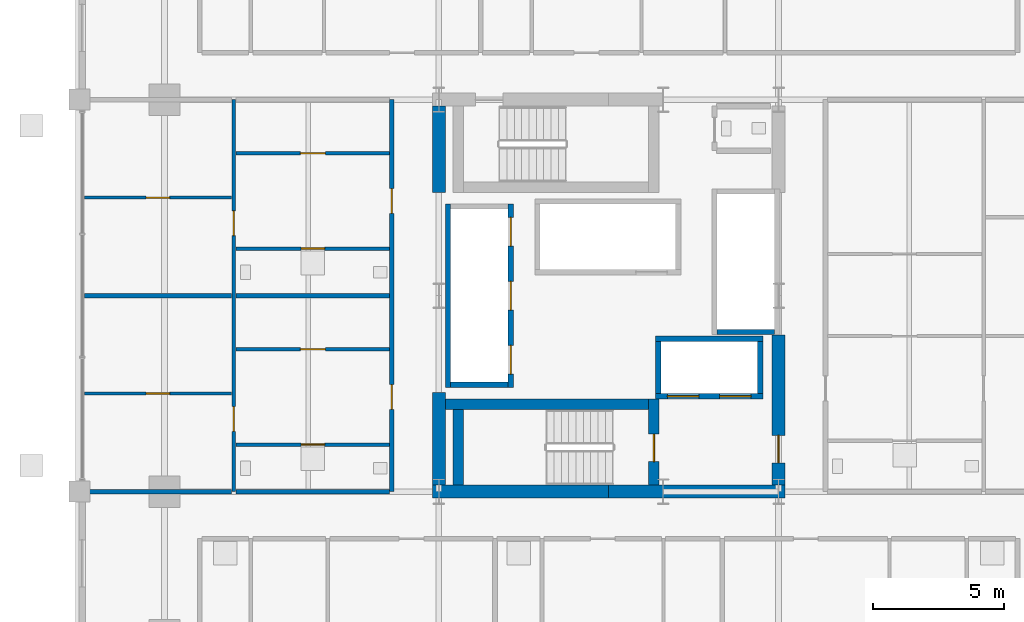
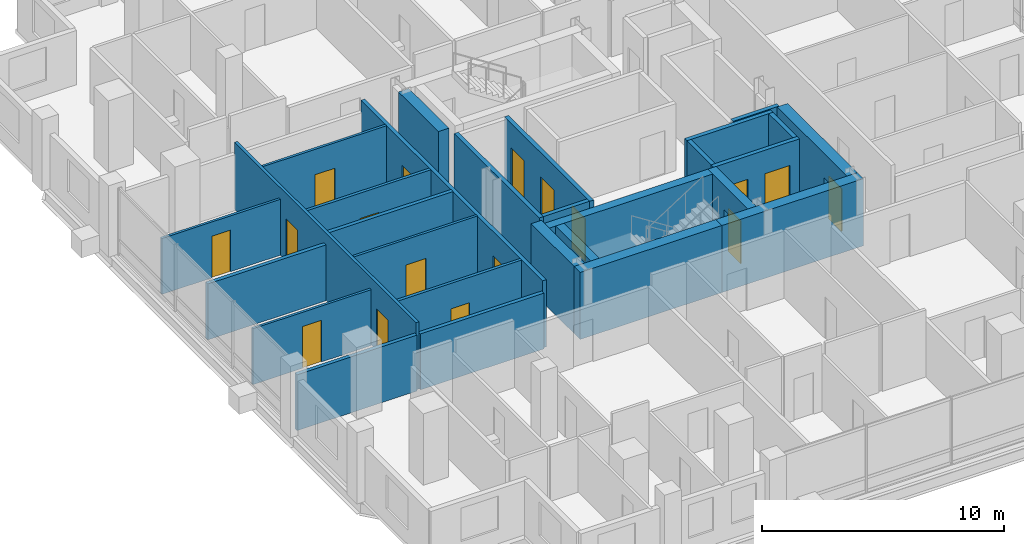
# One storey, part 15 of 20: 28 walls, 17 doors, 17 openings.
"""IFC4 building model written with IfcOpenShell, lengths in metres."""

import ifcopenshell
import ifcopenshell.guid

model = None  # the IFC model being written
_history = None  # IfcOwnerHistory: only IFC2X3 demands one
_inside = {}  # id of a spatial element -> (the spatial element, [elements in it])
_under = {}  # id of a project, library or spatial element -> (it, [spatial elements below it])
_declared = {}  # id of a project -> (the project, [libraries it declares])
_typed = {}  # id of a type object -> (the type object, [elements of that type])
_made_of = {}  # id of a material, layer set ... -> (it, [elements and type objects made of it])


def new_model(schema):
    """Start an empty IFC model of exactly this schema.

    Asked for "IFC4X3", IfcOpenShell would pick the latest addendum, in which some entities
    have other attributes; the version numbers below select the first issue.
    IFC2X3 requires an IfcOwnerHistory on every rooted entity: one is made here for all.
    """
    global model, _history
    if schema == "IFC4X3":
        model = ifcopenshell.file(schema_version=(4, 3, 0, 0))
    else:
        model = ifcopenshell.file(schema=schema)
    _inside.clear()
    _under.clear()
    _declared.clear()
    _typed.clear()
    _made_of.clear()
    _history = None
    if model.schema == "IFC2X3":
        org = make("IfcOrganization", Name="unknown")
        user = make(
            "IfcPersonAndOrganization",
            ThePerson=make("IfcPerson", FamilyName="unknown"),
            TheOrganization=org,
        )
        app = make(
            "IfcApplication",
            ApplicationDeveloper=org,
            Version="unknown",
            ApplicationFullName="unknown",
            ApplicationIdentifier="unknown",
        )
        _history = make(
            "IfcOwnerHistory",
            OwningUser=user,
            OwningApplication=app,
            ChangeAction="ADDED",
            CreationDate=0,
        )
    return model


def make(cls, **values):
    """One entity of the class cls with the attributes given. An attribute that is None is left unset."""
    return model.create_entity(
        cls, **{name: value for name, value in values.items() if value is not None}
    )


def rooted(cls, **values):
    """An entity with a GlobalId (a new one), such as an element, a storey or a relation."""
    return make(cls, GlobalId=ifcopenshell.guid.new(), OwnerHistory=_history, **values)


def si_unit(unit_type, name, prefix=None):
    """IfcSIUnit, for example si_unit("LENGTHUNIT", "METRE", prefix="MILLI")."""
    return make("IfcSIUnit", UnitType=unit_type, Prefix=prefix, Name=name)


def assignment(units):
    """IfcUnitAssignment: the units of a project."""
    return None if units is None else make("IfcUnitAssignment", Units=units)


def point(xyz):
    """IfcCartesianPoint."""
    return None if xyz is None else make("IfcCartesianPoint", Coordinates=xyz)


def direction(xyz):
    """IfcDirection."""
    return None if xyz is None else make("IfcDirection", DirectionRatios=xyz)


def frame(location, z_axis=None, x_axis=None):
    """IfcAxis2Placement3D, a coordinate frame: its origin and axes. An axis left out is left unset."""
    return make(
        "IfcAxis2Placement3D",
        Location=point(location),
        Axis=direction(z_axis),
        RefDirection=direction(x_axis),
    )


def frame_2d(location, x_axis=None):
    """IfcAxis2Placement2D, a coordinate frame in the plane: its origin and x axis."""
    return make(
        "IfcAxis2Placement2D", Location=point(location), RefDirection=direction(x_axis)
    )


def origin():
    """The frame at (0, 0, 0) with its axes left unset."""
    return frame((0.0, 0.0, 0.0))


def place(relative_to, where):
    """IfcLocalPlacement: puts the frame where relative to a parent placement (None: the world)."""
    return make(
        "IfcLocalPlacement", PlacementRelTo=relative_to, RelativePlacement=where
    )


def context(
    kind, dimensions, precision=None, world=None, true_north=None, identifier=None
):
    """IfcGeometricRepresentationContext, for example the 3D "Model" context."""
    return make(
        "IfcGeometricRepresentationContext",
        ContextIdentifier=identifier,
        ContextType=kind,
        CoordinateSpaceDimension=dimensions,
        Precision=precision,
        WorldCoordinateSystem=world,
        TrueNorth=true_north,
    )


def subcontext(parent, identifier, kind, view, scale=None):
    """IfcGeometricRepresentationSubContext, for example "Body" below "Model"."""
    return make(
        "IfcGeometricRepresentationSubContext",
        ContextIdentifier=identifier,
        ContextType=kind,
        ParentContext=parent,
        TargetScale=scale,
        TargetView=view,
    )


def project(units=None, contexts=None):
    """IfcProject with its units and contexts."""
    return rooted(
        "IfcProject",
        Name="project",
        RepresentationContexts=contexts,
        UnitsInContext=assignment(units),
    )


def spatial(cls, under=None, at=None, **own):
    """A site, building, storey or space (cls), placed at a placement, below another one or the project."""
    s = rooted(cls, ObjectPlacement=at, **own)
    if under is not None:
        _under.setdefault(under.id(), (under, []))[1].append(s)
    return s


def profile(cls, at=None, kind="AREA", **sizes):
    """A parametric profile (cls). Its sizes go by their IFC names, for example OverallWidth=200.0."""
    return make(cls, ProfileType=kind, Position=at, **sizes)


def rectangle(**sizes):
    """IfcRectangleProfileDef."""
    return profile("IfcRectangleProfileDef", **sizes)


def extrude(swept, where, along, depth):
    """IfcExtrudedAreaSolid: the profile swept, set in the frame where, extruded along a direction by depth."""
    return make(
        "IfcExtrudedAreaSolid",
        SweptArea=swept,
        Position=where,
        ExtrudedDirection=direction(along),
        Depth=depth,
    )


def shape(context_of_items, identifier, shape_type, items):
    """IfcShapeRepresentation: the items that make up one representation, for example the "Body"."""
    return make(
        "IfcShapeRepresentation",
        ContextOfItems=context_of_items,
        RepresentationIdentifier=identifier,
        RepresentationType=shape_type,
        Items=items,
    )


def material(Name=None, Category=None):
    """IfcMaterial."""
    return make("IfcMaterial", Name=Name, Category=Category)


def layer(
    of_material, thickness, ventilated=None, Name=None, Category=None, Priority=None
):
    """IfcMaterialLayer: one layer of a wall or slab, of a material (None: an air gap)."""
    return make(
        "IfcMaterialLayer",
        Material=of_material,
        LayerThickness=thickness,
        IsVentilated=ventilated,
        Name=Name,
        Category=Category,
        Priority=Priority,
    )


def layer_set(layers, Name=None):
    """IfcMaterialLayerSet."""
    return make("IfcMaterialLayerSet", MaterialLayers=layers, LayerSetName=Name)


def made_of(thing, what):
    """Note that an element or type object is made of a material, layer set ...; save() writes the relation."""
    if what is not None:
        _made_of.setdefault(what.id(), (what, []))[1].append(thing)
    return thing


def type_object(cls, material=None, **own):
    """A type object (cls), such as IfcWallType, which elements share."""
    return made_of(rooted(cls, **own), material)


def element(
    cls,
    number,
    at=None,
    inside=None,
    cuts=None,
    type_object=None,
    material=None,
    context=None,
    identifier="Body",
    shape_type=None,
    held_by="IfcProductDefinitionShape",
    body=None,
    shapes=None,
    **own,
):
    """One element of the class cls, such as IfcWall. Its Tag is "e" and its number.

    at: its placement. inside: the storey or other place that contains it. cuts: it is an
    opening in that element (IfcRelVoidsElement). A single representation is given by context,
    identifier, shape_type and body (its items); several are given by shapes. held_by: the class
    of the entity that holds the representations. save() writes the other relations.
    """
    e = rooted(cls, Tag="e%d" % number, ObjectPlacement=at, **own)
    if body is not None:
        shapes = [shape(context, identifier, shape_type, body)]
    if shapes is not None:
        e.Representation = make(held_by, Representations=shapes)
    if inside is not None:
        _inside.setdefault(inside.id(), (inside, []))[1].append(e)
    if cuts is not None:
        rooted(
            "IfcRelVoidsElement", RelatingBuildingElement=cuts, RelatedOpeningElement=e
        )
    if type_object is not None:
        _typed.setdefault(type_object.id(), (type_object, []))[1].append(e)
    return made_of(e, material)


def fill(opening, filler):
    """IfcRelFillsElement: the door or window that sits in an opening."""
    return rooted(
        "IfcRelFillsElement",
        RelatingOpeningElement=opening,
        RelatedBuildingElement=filler,
    )


def aggregate(whole, parts):
    """IfcRelAggregates: a whole, such as a stair, and the parts it consists of."""
    return rooted("IfcRelAggregates", RelatingObject=whole, RelatedObjects=parts)


def save(model, path):
    """Write the relations noted so far, then the file.

    IfcRelAggregates (storeys below a building ...), IfcRelContainedInSpatialStructure (elements
    in a storey), IfcRelDefinesByType, IfcRelAssociatesMaterial and IfcRelDeclares: one each for
    every whole, place, type object, material and project.
    """
    for whole, parts in _under.values():
        aggregate(whole, parts)
    for where, things in _inside.values():
        rooted(
            "IfcRelContainedInSpatialStructure",
            RelatedElements=things,
            RelatingStructure=where,
        )
    for kind, things in _typed.values():
        rooted("IfcRelDefinesByType", RelatedObjects=things, RelatingType=kind)
    for what, things in _made_of.values():
        rooted("IfcRelAssociatesMaterial", RelatedObjects=things, RelatingMaterial=what)
    for by, libraries in _declared.values():
        rooted("IfcRelDeclares", RelatingContext=by, RelatedDefinitions=libraries)
    model.write(path)


model = new_model("IFC4")

# Units and contexts
model_context = context("Model", 3, precision=1e-05, world=origin(), true_north=direction((0.0, 1.0)))
body_context = subcontext(model_context, "Body", "Model", "MODEL_VIEW")
ifc_project = project(units=[si_unit("LENGTHUNIT", "METRE"), si_unit("AREAUNIT", "SQUARE_METRE"), si_unit("VOLUMEUNIT", "CUBIC_METRE"), si_unit("PLANEANGLEUNIT", "RADIAN"), si_unit("MASSUNIT", "GRAM", prefix="KILO")], contexts=[model_context])

# Site, building, storey
site_placement = place(None, origin())
site = spatial("IfcSite", under=ifc_project, at=site_placement, CompositionType="ELEMENT")
building_placement = place(site_placement, origin())
building = spatial("IfcBuilding", under=site, at=building_placement, Name="Barlavira Tower and Art Museum", CompositionType="ELEMENT")
storey_placement = place(building_placement, frame((0.0, 0.0, 102.60009765625)))
storey = spatial("IfcBuildingStorey", under=building, at=storey_placement, Name="L25", CompositionType="ELEMENT", Elevation=102.60009765625)

# Wall, opening, door
ifc_material_1 = material(Name="Gypsum acoustic stud partition", Category="gypsum")
ifc_layer_1 = layer(ifc_material_1, 0.1201171875, Name="Gypsum acoustic stud partition")
ifc_layer_set_1 = layer_set([ifc_layer_1], Name="Gypsum acoustic stud partition")
wall_type_1 = type_object("IfcWallType", Name="Apartment Internal Acoustic Partition 120", PredefinedType="PARTITIONING", material=ifc_layer_set_1)
wall_1_placement = place(storey_placement, frame((-20.070068359375, -3.75, 0.0), z_axis=(0.0, 0.0, 1.0), x_axis=(1.0, 0.0, 0.0)))
wall_1 = element("IfcWall", 1, at=wall_1_placement, inside=storey, type_object=wall_type_1, Name="L25 Partition Wall 59", PredefinedType="PARTITIONING", context=body_context, shape_type="SweptSolid", body=[
    extrude(rectangle(XDim=5.64013671875, YDim=0.1201171875, at=frame_2d((2.820068359375, 0.0))), origin(), (0.0, 0.0, 1.0), 2.81591796875),
])
opening_1_placement = place(wall_1_placement, frame((2.3701171875, 0.0, 0.0)))
opening_1 = element("IfcOpeningElement", 2, at=opening_1_placement, cuts=wall_1, Name="Opening D-01", PredefinedType="OPENING", context=body_context, shape_type="SweptSolid", body=[
    extrude(rectangle(XDim=0.89990234375, YDim=2.10009765625, at=frame_2d((0.449951171875, 1.050048828125))), frame((0.0, 0.070068359375, 0.0), z_axis=(0.0, -1.0, 0.0), x_axis=(1.0, 0.0, 0.0)), (0.0, 0.0, 1.0), 0.14013671875),
])
ifc_material_2 = material(Name="Engineered coastal hardwood", Category="wood")
door_type_1 = type_object("IfcDoorType", Name="Internal Bedroom Timber Flush Door 900x2100", OperationType="NOTDEFINED", PredefinedType="DOOR", material=ifc_material_2)
door_1_placement = place(opening_1_placement, origin())
door_1 = element("IfcDoor", 3, at=door_1_placement, inside=storey, type_object=door_type_1, Name="Apartment W1 Bedroom 1 Door", OperationType="SINGLE_SWING_RIGHT", OverallHeight=2.10009765625, OverallWidth=0.89990234375, PredefinedType="DOOR", context=body_context, shape_type="SweptSolid", body=[
    extrude(rectangle(XDim=0.89990234375, YDim=2.10009765625, at=frame_2d((0.449951171875, 1.050048828125))), frame((0.0, 0.02490234375, 0.0), z_axis=(0.0, -1.0, 0.0), x_axis=(1.0, 0.0, 0.0)), (0.0, 0.0, 1.0), 0.050048828125),
])
fill(opening_1, door_1)

wall_2_placement = place(storey_placement, frame((-14.27001953125, -2.050048828125, 0.0), z_axis=(0.0, 0.0, 1.0), x_axis=(1.0, 0.0, 0.0)))
wall_2 = element("IfcWall", 4, at=wall_2_placement, inside=storey, type_object=wall_type_1, Name="L25 Partition Wall 60", PredefinedType="PARTITIONING", context=body_context, shape_type="SweptSolid", body=[
    extrude(rectangle(XDim=5.89013671875, YDim=0.1201171875, at=frame_2d((2.945068359375, 0.0))), origin(), (0.0, 0.0, 1.0), 3.3798828125),
])
opening_2_placement = place(wall_2_placement, frame((2.47509765625, 0.0, 0.0)))
opening_2 = element("IfcOpeningElement", 5, at=opening_2_placement, cuts=wall_2, Name="Opening D-02", PredefinedType="OPENING", context=body_context, shape_type="SweptSolid", body=[
    extrude(rectangle(XDim=0.949951171875, YDim=2.10009765625, at=frame_2d((0.47509765625, 1.050048828125))), frame((0.0, 0.070068359375, 0.0), z_axis=(0.0, -1.0, 0.0), x_axis=(1.0, 0.0, 0.0)), (0.0, 0.0, 1.0), 0.14013671875),
])
door_type_2 = type_object("IfcDoorType", Name="Living and Salon Glazed-Leaf Door 950x2100", OperationType="NOTDEFINED", PredefinedType="DOOR", material=ifc_material_2)
door_2_placement = place(opening_2_placement, origin())
door_2 = element("IfcDoor", 6, at=door_2_placement, inside=storey, type_object=door_type_2, Name="Apartment W1 Kitchen Door", OperationType="SINGLE_SWING_RIGHT", OverallHeight=2.10009765625, OverallWidth=0.949951171875, PredefinedType="DOOR", context=body_context, shape_type="SweptSolid", body=[
    extrude(rectangle(XDim=0.949951171875, YDim=2.10009765625, at=frame_2d((0.47509765625, 1.050048828125))), frame((0.0, 0.02490234375, 0.0), z_axis=(0.0, -1.0, 0.0), x_axis=(1.0, 0.0, 0.0)), (0.0, 0.0, 1.0), 0.050048828125),
])
fill(opening_2, door_2)

wall_3_placement = place(storey_placement, frame((-20.070068359375, 3.75, 0.0), z_axis=(0.0, 0.0, 1.0), x_axis=(1.0, 0.0, 0.0)))
wall_3 = element("IfcWall", 7, at=wall_3_placement, inside=storey, type_object=wall_type_1, Name="L25 Partition Wall 68", PredefinedType="PARTITIONING", context=body_context, shape_type="SweptSolid", body=[
    extrude(rectangle(XDim=5.64013671875, YDim=0.1201171875, at=frame_2d((2.820068359375, 0.0))), origin(), (0.0, 0.0, 1.0), 2.81591796875),
])
opening_3_placement = place(wall_3_placement, frame((2.3701171875, 0.0, 0.0)))
opening_3 = element("IfcOpeningElement", 8, at=opening_3_placement, cuts=wall_3, Name="Opening D-01", PredefinedType="OPENING", context=body_context, shape_type="SweptSolid", body=[
    extrude(rectangle(XDim=0.89990234375, YDim=2.10009765625, at=frame_2d((0.449951171875, 1.050048828125))), frame((0.0, 0.070068359375, 0.0), z_axis=(0.0, -1.0, 0.0), x_axis=(1.0, 0.0, 0.0)), (0.0, 0.0, 1.0), 0.14013671875),
])
door_3_placement = place(opening_3_placement, origin())
door_3 = element("IfcDoor", 9, at=door_3_placement, inside=storey, type_object=door_type_1, Name="Apartment W2 Bedroom 1 Door", OperationType="SINGLE_SWING_LEFT", OverallHeight=2.10009765625, OverallWidth=0.89990234375, PredefinedType="DOOR", context=body_context, shape_type="SweptSolid", body=[
    extrude(rectangle(XDim=0.89990234375, YDim=2.10009765625, at=frame_2d((0.449951171875, 1.050048828125))), frame((0.0, 0.02490234375, 0.0), z_axis=(0.0, -1.0, 0.0), x_axis=(1.0, 0.0, 0.0)), (0.0, 0.0, 1.0), 0.050048828125),
])
fill(opening_3, door_3)

wall_4_placement = place(storey_placement, frame((-14.27001953125, 5.449951171875, 0.0), z_axis=(0.0, 0.0, 1.0), x_axis=(1.0, 0.0, 0.0)))
wall_4 = element("IfcWall", 10, at=wall_4_placement, inside=storey, type_object=wall_type_1, Name="L25 Partition Wall 69", PredefinedType="PARTITIONING", context=body_context, shape_type="SweptSolid", body=[
    extrude(rectangle(XDim=5.89013671875, YDim=0.1201171875, at=frame_2d((2.945068359375, 0.0))), origin(), (0.0, 0.0, 1.0), 3.3798828125),
])
opening_4_placement = place(wall_4_placement, frame((2.47509765625, 0.0, 0.0)))
opening_4 = element("IfcOpeningElement", 11, at=opening_4_placement, cuts=wall_4, Name="Opening D-02", PredefinedType="OPENING", context=body_context, shape_type="SweptSolid", body=[
    extrude(rectangle(XDim=0.949951171875, YDim=2.10009765625, at=frame_2d((0.47509765625, 1.050048828125))), frame((0.0, 0.070068359375, 0.0), z_axis=(0.0, -1.0, 0.0), x_axis=(1.0, 0.0, 0.0)), (0.0, 0.0, 1.0), 0.14013671875),
])
door_4_placement = place(opening_4_placement, origin())
door_4 = element("IfcDoor", 12, at=door_4_placement, inside=storey, type_object=door_type_2, Name="Apartment W2 Kitchen Door", OperationType="SINGLE_SWING_LEFT", OverallHeight=2.10009765625, OverallWidth=0.949951171875, PredefinedType="DOOR", context=body_context, shape_type="SweptSolid", body=[
    extrude(rectangle(XDim=0.949951171875, YDim=2.10009765625, at=frame_2d((0.47509765625, 1.050048828125))), frame((0.0, 0.02490234375, 0.0), z_axis=(0.0, -1.0, 0.0), x_axis=(1.0, 0.0, 0.0)), (0.0, 0.0, 1.0), 0.050048828125),
])
fill(opening_4, door_4)

# Walls
ifc_material_3 = material(Name="Concrete C60", Category="concrete")
ifc_layer_2 = layer(ifc_material_3, 0.5, Name="Concrete C60")
ifc_layer_set_2 = layer_set([ifc_layer_2], Name="Concrete C60")
wall_type_2 = type_object("IfcWallType", Name="Core Structural Shear Wall 500 Concrete C60", PredefinedType="SHEAR", material=ifc_layer_set_2)
for number, where, z_axis, x_axis, name in (
    (13, (-6.75, -7.5, 0.0), (0.0, 0.0, 1.0), (1.0, 0.0, 0.0), "L25 Core Shear Wall CS-SW"),
    (14, (0.0, -7.5, 0.0), (0.0, 0.0, 1.0), (1.0, 0.0, 0.0), "L25 Core Shear Wall CS-SE"),
):
    element("IfcWall", number, at=place(storey_placement, frame(where, z_axis=z_axis, x_axis=x_axis)), inside=storey, type_object=wall_type_2, Name=name, PredefinedType="SHEAR", context=body_context, shape_type="SweptSolid", body=[
        extrude(rectangle(XDim=6.75, YDim=0.5, at=frame_2d((3.375, 0.0))), origin(), (0.0, 0.0, 1.0), 3.3798828125),
    ])
wall_5_placement = place(storey_placement, frame((-6.5, -7.25, 0.0), z_axis=(0.0, 0.0, 1.0), x_axis=(0.0, 1.0, 0.0)))
element("IfcWall", 15, at=wall_5_placement, inside=storey, type_object=wall_type_2, Name="L25 Core Shear Wall CS-W1", PredefinedType="SHEAR", context=body_context, shape_type="SweptSolid", body=[
    extrude(rectangle(XDim=3.550048828125, YDim=0.5, at=frame_2d((1.77490234375, 0.0))), origin(), (0.0, 0.0, 1.0), 3.3798828125),
])
wall_6_placement = place(storey_placement, frame((-6.5, 3.949951171875, 0.0), z_axis=(0.0, 0.0, 1.0), x_axis=(0.0, 1.0, 0.0)))
element("IfcWall", 16, at=wall_6_placement, inside=storey, type_object=wall_type_2, Name="L25 Core Shear Wall CS-W2", PredefinedType="SHEAR", context=body_context, shape_type="SweptSolid", body=[
    extrude(rectangle(XDim=3.300048828125, YDim=0.5, at=frame_2d((1.64990234375, 0.0))), origin(), (0.0, 0.0, 1.0), 3.3798828125),
])

# Wall, opening, door
wall_7_placement = place(storey_placement, frame((6.5, -7.25, 0.0), z_axis=(0.0, 0.0, 1.0), x_axis=(0.0, 1.0, 0.0)))
wall_7 = element("IfcWall", 17, at=wall_7_placement, inside=storey, type_object=wall_type_2, Name="L25 Core Shear Wall CS-E1", PredefinedType="SHEAR", context=body_context, shape_type="SweptSolid", body=[
    extrude(rectangle(XDim=5.75, YDim=0.5, at=frame_2d((2.875, 0.0))), origin(), (0.0, 0.0, 1.0), 3.3798828125),
])
opening_5_placement = place(wall_7_placement, frame((0.85009765625, 0.0, 0.0)))
opening_5 = element("IfcOpeningElement", 18, at=opening_5_placement, cuts=wall_7, Name="Opening FD-90", PredefinedType="OPENING", context=body_context, shape_type="SweptSolid", body=[
    extrude(rectangle(XDim=1.050048828125, YDim=2.14990234375, at=frame_2d((0.52490234375, 1.074951171875))), frame((0.0, 0.260009765625, 0.0), z_axis=(0.0, -1.0, 0.0), x_axis=(1.0, 0.0, 0.0)), (0.0, 0.0, 1.0), 0.52001953125),
])
ifc_material_4 = material(Name="Brushed stainless steel", Category="steel")
door_type_3 = type_object("IfcDoorType", Name="Stair and Refuge Fire Door 1050x2150 FD90S", OperationType="NOTDEFINED", PredefinedType="DOOR", material=ifc_material_4)
door_5_placement = place(opening_5_placement, origin())
door_5 = element("IfcDoor", 19, at=door_5_placement, inside=storey, type_object=door_type_3, Name="L25 Firefighting Lobby Entry Fire Door", OperationType="SINGLE_SWING_LEFT", OverallHeight=2.14990234375, OverallWidth=1.050048828125, PredefinedType="DOOR", context=body_context, shape_type="SweptSolid", body=[
    extrude(rectangle(XDim=1.050048828125, YDim=2.14990234375, at=frame_2d((0.52490234375, 1.074951171875))), frame((0.0, 0.02490234375, 0.0), z_axis=(0.0, -1.0, 0.0), x_axis=(1.0, 0.0, 0.0)), (0.0, 0.0, 1.0), 0.050048828125),
])
fill(opening_5, door_5)

# Wall, openings, doors
ifc_material_5 = material(Name="Autoclaved aerated concrete masonry", Category="masonry")
ifc_layer_3 = layer(ifc_material_5, 0.199951171875, Name="Autoclaved aerated concrete masonry")
ifc_layer_set_3 = layer_set([ifc_layer_3], Name="Autoclaved aerated concrete masonry")
wall_type_3 = type_object("IfcWallType", Name="Fire Compartment and Shaft Wall 200", PredefinedType="SOLIDWALL", material=ifc_layer_set_3)
wall_8_placement = place(storey_placement, frame((-3.75, -3.510009765625, 0.0), z_axis=(0.0, 0.0, 1.0), x_axis=(0.0, 1.0, 0.0)))
wall_8 = element("IfcWall", 20, at=wall_8_placement, inside=storey, type_object=wall_type_3, Name="L25 Low-Rise Lift Front Shaft Wall", PredefinedType="SOLIDWALL", context=body_context, shape_type="SweptSolid", body=[
    extrude(rectangle(XDim=7.02001953125, YDim=0.199951171875, at=frame_2d((3.510009765625, 0.0))), origin(), (0.0, 0.0, 1.0), 3.3798828125),
])
opening_6_placement = place(wall_8_placement, frame((0.510009765625, 0.0, 0.0)))
opening_6 = element("IfcOpeningElement", 21, at=opening_6_placement, cuts=wall_8, Name="Opening LD-P", PredefinedType="OPENING", context=body_context, shape_type="SweptSolid", body=[
    extrude(rectangle(XDim=1.10009765625, YDim=2.14990234375, at=frame_2d((0.550048828125, 1.074951171875))), frame((0.0, 0.10986328125, 0.0), z_axis=(0.0, -1.0, 0.0), x_axis=(1.0, 0.0, 0.0)), (0.0, 0.0, 1.0), 0.219970703125),
])
opening_7_placement = place(wall_8_placement, frame((2.9599609375, 0.0, 0.0)))
opening_7 = element("IfcOpeningElement", 22, at=opening_7_placement, cuts=wall_8, Name="Opening LD-P", PredefinedType="OPENING", context=body_context, shape_type="SweptSolid", body=[
    extrude(rectangle(XDim=1.10009765625, YDim=2.14990234375, at=frame_2d((0.550048828125, 1.074951171875))), frame((0.0, 0.10986328125, 0.0), z_axis=(0.0, -1.0, 0.0), x_axis=(1.0, 0.0, 0.0)), (0.0, 0.0, 1.0), 0.219970703125),
])
opening_8_placement = place(wall_8_placement, frame((5.409912109375, 0.0, 0.0)))
opening_8 = element("IfcOpeningElement", 23, at=opening_8_placement, cuts=wall_8, Name="Opening LD-P", PredefinedType="OPENING", context=body_context, shape_type="SweptSolid", body=[
    extrude(rectangle(XDim=1.10009765625, YDim=2.14990234375, at=frame_2d((0.550048828125, 1.074951171875))), frame((0.0, 0.10986328125, 0.0), z_axis=(0.0, -1.0, 0.0), x_axis=(1.0, 0.0, 0.0)), (0.0, 0.0, 1.0), 0.219970703125),
])
door_type_4 = type_object("IfcDoorType", Name="Passenger Lift Sliding Landing Door 1100x2150 FD60", OperationType="NOTDEFINED", PredefinedType="DOOR", material=ifc_material_4)
door_6_placement = place(opening_6_placement, origin())
door_6 = element("IfcDoor", 24, at=door_6_placement, inside=storey, type_object=door_type_4, Name="L25 Lift PL1 Sliding Landing Door", OperationType="DOUBLE_DOOR_SLIDING", OverallHeight=2.14990234375, OverallWidth=1.10009765625, PredefinedType="DOOR", context=body_context, shape_type="SweptSolid", body=[
    extrude(rectangle(XDim=1.10009765625, YDim=2.14990234375, at=frame_2d((0.550048828125, 1.074951171875))), frame((0.0, 0.02490234375, 0.0), z_axis=(0.0, -1.0, 0.0), x_axis=(1.0, 0.0, 0.0)), (0.0, 0.0, 1.0), 0.050048828125),
])
fill(opening_6, door_6)
door_7_placement = place(opening_7_placement, origin())
door_7 = element("IfcDoor", 25, at=door_7_placement, inside=storey, type_object=door_type_4, Name="L25 Lift PL2 Sliding Landing Door", OperationType="DOUBLE_DOOR_SLIDING", OverallHeight=2.14990234375, OverallWidth=1.10009765625, PredefinedType="DOOR", context=body_context, shape_type="SweptSolid", body=[
    extrude(rectangle(XDim=1.10009765625, YDim=2.14990234375, at=frame_2d((0.550048828125, 1.074951171875))), frame((0.0, 0.02490234375, 0.0), z_axis=(0.0, -1.0, 0.0), x_axis=(1.0, 0.0, 0.0)), (0.0, 0.0, 1.0), 0.050048828125),
])
fill(opening_7, door_7)
door_8_placement = place(opening_8_placement, origin())
door_8 = element("IfcDoor", 26, at=door_8_placement, inside=storey, type_object=door_type_4, Name="L25 Lift PL3 Sliding Landing Door", OperationType="DOUBLE_DOOR_SLIDING", OverallHeight=2.14990234375, OverallWidth=1.10009765625, PredefinedType="DOOR", context=body_context, shape_type="SweptSolid", body=[
    extrude(rectangle(XDim=1.10009765625, YDim=2.14990234375, at=frame_2d((0.550048828125, 1.074951171875))), frame((0.0, 0.02490234375, 0.0), z_axis=(0.0, -1.0, 0.0), x_axis=(1.0, 0.0, 0.0)), (0.0, 0.0, 1.0), 0.050048828125),
])
fill(opening_8, door_8)

# Walls
wall_9_placement = place(storey_placement, frame((-6.14990234375, -3.510009765625, 0.0), z_axis=(0.0, 0.0, 1.0), x_axis=(0.0, 1.0, 0.0)))
element("IfcWall", 27, at=wall_9_placement, inside=storey, type_object=wall_type_3, Name="L25 Low-Rise Lift Back Shaft Wall", PredefinedType="SOLIDWALL", context=body_context, shape_type="SweptSolid", body=[
    extrude(rectangle(XDim=7.02001953125, YDim=0.199951171875, at=frame_2d((3.510009765625, 0.0))), origin(), (0.0, 0.0, 1.0), 3.3798828125),
])
wall_10_placement = place(storey_placement, frame((-6.050048828125, -3.409912109375, 0.0), z_axis=(0.0, 0.0, 1.0), x_axis=(1.0, 0.0, 0.0)))
element("IfcWall", 28, at=wall_10_placement, inside=storey, type_object=wall_type_3, Name="L25 Low-Rise Lift South Shaft Wall", PredefinedType="SOLIDWALL", context=body_context, shape_type="SweptSolid", body=[
    extrude(rectangle(XDim=2.199951171875, YDim=0.199951171875, at=frame_2d((1.10009765625, 0.0))), origin(), (0.0, 0.0, 1.0), 3.3798828125),
])
wall_11_placement = place(storey_placement, frame((4.14990234375, -1.389892578125, 0.0), z_axis=(0.0, 0.0, 1.0), x_axis=(1.0, 0.0, 0.0)))
element("IfcWall", 29, at=wall_11_placement, inside=storey, type_object=wall_type_3, Name="L25 Mid-Rise Lift South Shaft Wall", PredefinedType="SOLIDWALL", context=body_context, shape_type="SweptSolid", body=[
    extrude(rectangle(XDim=2.2001953125, YDim=0.199951171875, at=frame_2d((1.10009765625, 0.0))), origin(), (0.0, 0.0, 1.0), 3.3798828125),
])

# Wall, openings, doors
wall_12_placement = place(storey_placement, frame((1.800048828125, -3.85009765625, 0.0), z_axis=(0.0, 0.0, 1.0), x_axis=(1.0, 0.0, 0.0)))
wall_12 = element("IfcWall", 30, at=wall_12_placement, inside=storey, type_object=wall_type_3, Name="L25 Firefighting Lift Front Shaft Wall", PredefinedType="SOLIDWALL", context=body_context, shape_type="SweptSolid", body=[
    extrude(rectangle(XDim=4.099853515625, YDim=0.199951171875, at=frame_2d((2.0498046875, 0.0))), origin(), (0.0, 0.0, 1.0), 3.3798828125),
])
opening_9_placement = place(wall_12_placement, frame((0.449951171875, 0.0, 0.0)))
opening_9 = element("IfcOpeningElement", 31, at=opening_9_placement, cuts=wall_12, Name="Opening LD-F", PredefinedType="OPENING", context=body_context, shape_type="SweptSolid", body=[
    extrude(rectangle(XDim=1.199951171875, YDim=2.199951171875, at=frame_2d((0.60009765625, 1.10009765625))), frame((0.0, 0.10986328125, 0.0), z_axis=(0.0, -1.0, 0.0), x_axis=(1.0, 0.0, 0.0)), (0.0, 0.0, 1.0), 0.219970703125),
])
opening_10_placement = place(wall_12_placement, frame((2.449951171875, 0.0, 0.0)))
opening_10 = element("IfcOpeningElement", 32, at=opening_10_placement, cuts=wall_12, Name="Opening LD-F", PredefinedType="OPENING", context=body_context, shape_type="SweptSolid", body=[
    extrude(rectangle(XDim=1.199951171875, YDim=2.199951171875, at=frame_2d((0.60009765625, 1.10009765625))), frame((0.0, 0.10986328125, 0.0), z_axis=(0.0, -1.0, 0.0), x_axis=(1.0, 0.0, 0.0)), (0.0, 0.0, 1.0), 0.219970703125),
])
door_type_5 = type_object("IfcDoorType", Name="Firefighting and Service Lift Sliding Door 1200x2200 FD120", OperationType="NOTDEFINED", PredefinedType="DOOR", material=ifc_material_4)
door_9_placement = place(opening_9_placement, origin())
door_9 = element("IfcDoor", 33, at=door_9_placement, inside=storey, type_object=door_type_5, Name="L25 Firefighting Lift FF1 Sliding Door", OperationType="DOUBLE_DOOR_SLIDING", OverallHeight=2.199951171875, OverallWidth=1.199951171875, PredefinedType="DOOR", context=body_context, shape_type="SweptSolid", body=[
    extrude(rectangle(XDim=1.199951171875, YDim=2.199951171875, at=frame_2d((0.60009765625, 1.10009765625))), frame((0.0, 0.02490234375, 0.0), z_axis=(0.0, -1.0, 0.0), x_axis=(1.0, 0.0, 0.0)), (0.0, 0.0, 1.0), 0.050048828125),
])
fill(opening_9, door_9)
door_10_placement = place(opening_10_placement, origin())
door_10 = element("IfcDoor", 34, at=door_10_placement, inside=storey, type_object=door_type_5, Name="L25 Firefighting Lift FF2 Sliding Door", OperationType="DOUBLE_DOOR_SLIDING", OverallHeight=2.199951171875, OverallWidth=1.199951171875, PredefinedType="DOOR", context=body_context, shape_type="SweptSolid", body=[
    extrude(rectangle(XDim=1.199951171875, YDim=2.199951171875, at=frame_2d((0.60009765625, 1.10009765625))), frame((0.0, 0.02490234375, 0.0), z_axis=(0.0, -1.0, 0.0), x_axis=(1.0, 0.0, 0.0)), (0.0, 0.0, 1.0), 0.050048828125),
])
fill(opening_10, door_10)

# Walls
wall_13_placement = place(storey_placement, frame((1.800048828125, -1.64990234375, 0.0), z_axis=(0.0, 0.0, 1.0), x_axis=(1.0, 0.0, 0.0)))
element("IfcWall", 35, at=wall_13_placement, inside=storey, type_object=wall_type_3, Name="L25 Firefighting Lift Back Shaft Wall", PredefinedType="SOLIDWALL", context=body_context, shape_type="SweptSolid", body=[
    extrude(rectangle(XDim=4.099853515625, YDim=0.199951171875, at=frame_2d((2.0498046875, 0.0))), origin(), (0.0, 0.0, 1.0), 3.3798828125),
])
for number, where, z_axis, x_axis, name in (
    (36, (1.89990234375, -3.75, 0.0), (0.0, 0.0, 1.0), (0.0, 1.0, 0.0), "L25 Firefighting Lift West Shaft Wall"),
    (37, (5.800048828125, -3.75, 0.0), (0.0, 0.0, 1.0), (0.0, 1.0, 0.0), "L25 Firefighting Lift East Shaft Wall"),
):
    element("IfcWall", number, at=place(storey_placement, frame(where, z_axis=z_axis, x_axis=x_axis)), inside=storey, type_object=wall_type_3, Name=name, PredefinedType="SOLIDWALL", context=body_context, shape_type="SweptSolid", body=[
        extrude(rectangle(XDim=2.0, YDim=0.199951171875, at=frame_2d((1.0, 0.0))), origin(), (0.0, 0.0, 1.0), 3.3798828125),
    ])

# Wall, openings, doors
ifc_layer_4 = layer(ifc_material_1, 0.179931640625, Name="Gypsum acoustic stud partition")
ifc_layer_set_4 = layer_set([ifc_layer_4], Name="Gypsum acoustic stud partition")
wall_type_4 = type_object("IfcWallType", Name="Inter-Tenancy Party Partition Wall 180", PredefinedType="PARTITIONING", material=ifc_layer_set_4)
wall_14_placement = place(storey_placement, frame((-8.300048828125, -7.5, 0.0), z_axis=(0.0, 0.0, 1.0), x_axis=(0.0, 1.0, 0.0)))
wall_14 = element("IfcWall", 38, at=wall_14_placement, inside=storey, type_object=wall_type_4, Name="L25 Partition Wall 10", PredefinedType="PARTITIONING", context=body_context, shape_type="SweptSolid", body=[
    extrude(rectangle(XDim=15.0, YDim=0.179931640625, at=frame_2d((7.5, 0.0))), origin(), (0.0, 0.0, 1.0), 3.3798828125),
])
opening_11_placement = place(wall_14_placement, frame((3.14501953125, 0.0, 0.0)))
opening_11 = element("IfcOpeningElement", 39, at=opening_11_placement, cuts=wall_14, Name="Opening FD-60", PredefinedType="OPENING", context=body_context, shape_type="SweptSolid", body=[
    extrude(rectangle(XDim=0.949951171875, YDim=2.14990234375, at=frame_2d((0.47509765625, 1.074951171875))), frame((0.0, 0.10009765625, 0.0), z_axis=(0.0, -1.0, 0.0), x_axis=(1.0, 0.0, 0.0)), (0.0, 0.0, 1.0), 0.199951171875),
])
opening_12_placement = place(wall_14_placement, frame((10.64501953125, 0.0, 0.0)))
opening_12 = element("IfcOpeningElement", 40, at=opening_12_placement, cuts=wall_14, Name="Opening FD-60", PredefinedType="OPENING", context=body_context, shape_type="SweptSolid", body=[
    extrude(rectangle(XDim=0.949951171875, YDim=2.14990234375, at=frame_2d((0.47509765625, 1.074951171875))), frame((0.0, 0.10009765625, 0.0), z_axis=(0.0, -1.0, 0.0), x_axis=(1.0, 0.0, 0.0)), (0.0, 0.0, 1.0), 0.199951171875),
])
door_type_6 = type_object("IfcDoorType", Name="Apartment Entrance and Riser Fire Door 950x2150 FD60S", OperationType="NOTDEFINED", PredefinedType="DOOR", material=ifc_material_4)
door_11_placement = place(opening_11_placement, origin())
door_11 = element("IfcDoor", 41, at=door_11_placement, inside=storey, type_object=door_type_6, Name="Apartment Entrance Hall W1 Door", OperationType="SINGLE_SWING_LEFT", OverallHeight=2.14990234375, OverallWidth=0.949951171875, PredefinedType="DOOR", context=body_context, shape_type="SweptSolid", body=[
    extrude(rectangle(XDim=0.949951171875, YDim=2.14990234375, at=frame_2d((0.47509765625, 1.074951171875))), frame((0.0, 0.02490234375, 0.0), z_axis=(0.0, -1.0, 0.0), x_axis=(1.0, 0.0, 0.0)), (0.0, 0.0, 1.0), 0.050048828125),
])
fill(opening_11, door_11)
door_12_placement = place(opening_12_placement, origin())
door_12 = element("IfcDoor", 42, at=door_12_placement, inside=storey, type_object=door_type_6, Name="Apartment Entrance Hall W2 Door", OperationType="SINGLE_SWING_RIGHT", OverallHeight=2.14990234375, OverallWidth=0.949951171875, PredefinedType="DOOR", context=body_context, shape_type="SweptSolid", body=[
    extrude(rectangle(XDim=0.949951171875, YDim=2.14990234375, at=frame_2d((0.47509765625, 1.074951171875))), frame((0.0, 0.02490234375, 0.0), z_axis=(0.0, -1.0, 0.0), x_axis=(1.0, 0.0, 0.0)), (0.0, 0.0, 1.0), 0.050048828125),
])
fill(opening_12, door_12)

# Walls
wall_15_placement = place(storey_placement, frame((-20.14990234375, -7.5, 0.0), z_axis=(0.0, 0.0, 1.0), x_axis=(1.0, 0.0, 0.0)))
element("IfcWall", 43, at=wall_15_placement, inside=storey, type_object=wall_type_4, Name="L25 Partition Wall 53", PredefinedType="PARTITIONING", context=body_context, shape_type="SweptSolid", body=[
    extrude(rectangle(XDim=5.719970703125, YDim=0.179931640625, at=frame_2d((2.85986328125, 0.0))), origin(), (0.0, 0.0, 1.0), 2.81591796875),
])
wall_16_placement = place(storey_placement, frame((-14.27001953125, -7.5, 0.0), z_axis=(0.0, 0.0, 1.0), x_axis=(1.0, 0.0, 0.0)))
element("IfcWall", 44, at=wall_16_placement, inside=storey, type_object=wall_type_4, Name="L25 Partition Wall 54", PredefinedType="PARTITIONING", context=body_context, shape_type="SweptSolid", body=[
    extrude(rectangle(XDim=5.89013671875, YDim=0.179931640625, at=frame_2d((2.945068359375, 0.0))), origin(), (0.0, 0.0, 1.0), 2.81591796875),
])
wall_17_placement = place(storey_placement, frame((-20.070068359375, 0.0, 0.0), z_axis=(0.0, 0.0, 1.0), x_axis=(1.0, 0.0, 0.0)))
element("IfcWall", 45, at=wall_17_placement, inside=storey, type_object=wall_type_4, Name="L25 Partition Wall 63", PredefinedType="PARTITIONING", context=body_context, shape_type="SweptSolid", body=[
    extrude(rectangle(XDim=5.64013671875, YDim=0.179931640625, at=frame_2d((2.820068359375, 0.0))), origin(), (0.0, 0.0, 1.0), 2.81591796875),
])
wall_18_placement = place(storey_placement, frame((-14.27001953125, 0.0, 0.0), z_axis=(0.0, 0.0, 1.0), x_axis=(1.0, 0.0, 0.0)))
element("IfcWall", 46, at=wall_18_placement, inside=storey, type_object=wall_type_4, Name="L25 Partition Wall 64", PredefinedType="PARTITIONING", context=body_context, shape_type="SweptSolid", body=[
    extrude(rectangle(XDim=5.89013671875, YDim=0.179931640625, at=frame_2d((2.945068359375, 0.0))), origin(), (0.0, 0.0, 1.0), 3.3798828125),
])

# Wall, openings, doors
ifc_layer_5 = layer(ifc_material_1, 0.139892578125, Name="Gypsum acoustic stud partition")
ifc_layer_set_5 = layer_set([ifc_layer_5], Name="Gypsum acoustic stud partition")
wall_type_5 = type_object("IfcWallType", Name="Moisture-Resistant Bathroom Partition 140", PredefinedType="PARTITIONING", material=ifc_layer_set_5)
wall_19_placement = place(storey_placement, frame((-14.35009765625, -7.5, 0.0), z_axis=(0.0, 0.0, 1.0), x_axis=(0.0, 1.0, 0.0)))
wall_19 = element("IfcWall", 47, at=wall_19_placement, inside=storey, type_object=wall_type_5, Name="L25 Partition Wall 3", PredefinedType="PARTITIONING", context=body_context, shape_type="SweptSolid", body=[
    extrude(rectangle(XDim=15.0, YDim=0.139892578125, at=frame_2d((7.5, 0.0))), origin(), (0.0, 0.0, 1.0), 3.3798828125),
])
opening_13_placement = place(wall_19_placement, frame((2.304931640625, 0.0, 0.0)))
opening_13 = element("IfcOpeningElement", 48, at=opening_13_placement, cuts=wall_19, Name="Opening D-02", PredefinedType="OPENING", context=body_context, shape_type="SweptSolid", body=[
    extrude(rectangle(XDim=0.949951171875, YDim=2.10009765625, at=frame_2d((0.47509765625, 1.050048828125))), frame((0.0, 0.080078125, 0.0), z_axis=(0.0, -1.0, 0.0), x_axis=(1.0, 0.0, 0.0)), (0.0, 0.0, 1.0), 0.159912109375),
])
opening_14_placement = place(wall_19_placement, frame((9.794921875, 0.0, 0.0)))
opening_14 = element("IfcOpeningElement", 49, at=opening_14_placement, cuts=wall_19, Name="Opening D-02", PredefinedType="OPENING", context=body_context, shape_type="SweptSolid", body=[
    extrude(rectangle(XDim=0.949951171875, YDim=2.10009765625, at=frame_2d((0.47509765625, 1.050048828125))), frame((0.0, 0.080078125, 0.0), z_axis=(0.0, -1.0, 0.0), x_axis=(1.0, 0.0, 0.0)), (0.0, 0.0, 1.0), 0.159912109375),
])
door_13_placement = place(opening_13_placement, origin())
door_13 = element("IfcDoor", 50, at=door_13_placement, inside=storey, type_object=door_type_2, Name="Apartment W1 Living Lounge Door", OperationType="SINGLE_SWING_LEFT", OverallHeight=2.10009765625, OverallWidth=0.949951171875, PredefinedType="DOOR", context=body_context, shape_type="SweptSolid", body=[
    extrude(rectangle(XDim=0.949951171875, YDim=2.10009765625, at=frame_2d((0.47509765625, 1.050048828125))), frame((0.0, 0.02490234375, 0.0), z_axis=(0.0, -1.0, 0.0), x_axis=(1.0, 0.0, 0.0)), (0.0, 0.0, 1.0), 0.050048828125),
])
fill(opening_13, door_13)
door_14_placement = place(opening_14_placement, origin())
door_14 = element("IfcDoor", 51, at=door_14_placement, inside=storey, type_object=door_type_2, Name="Apartment W2 Living Lounge Door", OperationType="SINGLE_SWING_RIGHT", OverallHeight=2.10009765625, OverallWidth=0.949951171875, PredefinedType="DOOR", context=body_context, shape_type="SweptSolid", body=[
    extrude(rectangle(XDim=0.949951171875, YDim=2.10009765625, at=frame_2d((0.47509765625, 1.050048828125))), frame((0.0, 0.02490234375, 0.0), z_axis=(0.0, -1.0, 0.0), x_axis=(1.0, 0.0, 0.0)), (0.0, 0.0, 1.0), 0.050048828125),
])
fill(opening_14, door_14)

# Wall, opening, door
wall_20_placement = place(storey_placement, frame((-14.27001953125, -5.699951171875, 0.0), z_axis=(0.0, 0.0, 1.0), x_axis=(1.0, 0.0, 0.0)))
wall_20 = element("IfcWall", 52, at=wall_20_placement, inside=storey, type_object=wall_type_5, Name="L25 Partition Wall 57", PredefinedType="PARTITIONING", context=body_context, shape_type="SweptSolid", body=[
    extrude(rectangle(XDim=5.89013671875, YDim=0.139892578125, at=frame_2d((2.945068359375, 0.0))), origin(), (0.0, 0.0, 1.0), 3.3798828125),
])
opening_15_placement = place(wall_20_placement, frame((2.5, 0.0, 0.0)))
opening_15 = element("IfcOpeningElement", 53, at=opening_15_placement, cuts=wall_20, Name="Opening D-WC", PredefinedType="OPENING", context=body_context, shape_type="SweptSolid", body=[
    extrude(rectangle(XDim=0.89990234375, YDim=2.10009765625, at=frame_2d((0.449951171875, 1.050048828125))), frame((0.0, 0.080078125, 0.0), z_axis=(0.0, -1.0, 0.0), x_axis=(1.0, 0.0, 0.0)), (0.0, 0.0, 1.0), 0.159912109375),
])
door_type_7 = type_object("IfcDoorType", Name="Accessible Bathroom Flush Door 900x2100", OperationType="NOTDEFINED", PredefinedType="DOOR", material=ifc_material_2)
door_15_placement = place(opening_15_placement, origin())
door_15 = element("IfcDoor", 54, at=door_15_placement, inside=storey, type_object=door_type_7, Name="Apartment W1 Hall Bathroom Door", OperationType="SINGLE_SWING_RIGHT", OverallHeight=2.10009765625, OverallWidth=0.89990234375, PredefinedType="DOOR", context=body_context, shape_type="SweptSolid", body=[
    extrude(rectangle(XDim=0.89990234375, YDim=2.10009765625, at=frame_2d((0.449951171875, 1.050048828125))), frame((0.0, 0.02490234375, 0.0), z_axis=(0.0, -1.0, 0.0), x_axis=(1.0, 0.0, 0.0)), (0.0, 0.0, 1.0), 0.050048828125),
])
fill(opening_15, door_15)

wall_21_placement = place(storey_placement, frame((-14.27001953125, 1.800048828125, 0.0), z_axis=(0.0, 0.0, 1.0), x_axis=(1.0, 0.0, 0.0)))
wall_21 = element("IfcWall", 55, at=wall_21_placement, inside=storey, type_object=wall_type_5, Name="L25 Partition Wall 66", PredefinedType="PARTITIONING", context=body_context, shape_type="SweptSolid", body=[
    extrude(rectangle(XDim=5.89013671875, YDim=0.139892578125, at=frame_2d((2.945068359375, 0.0))), origin(), (0.0, 0.0, 1.0), 3.3798828125),
])
opening_16_placement = place(wall_21_placement, frame((2.5, 0.0, 0.0)))
opening_16 = element("IfcOpeningElement", 56, at=opening_16_placement, cuts=wall_21, Name="Opening D-WC", PredefinedType="OPENING", context=body_context, shape_type="SweptSolid", body=[
    extrude(rectangle(XDim=0.89990234375, YDim=2.10009765625, at=frame_2d((0.449951171875, 1.050048828125))), frame((0.0, 0.080078125, 0.0), z_axis=(0.0, -1.0, 0.0), x_axis=(1.0, 0.0, 0.0)), (0.0, 0.0, 1.0), 0.159912109375),
])
door_16_placement = place(opening_16_placement, origin())
door_16 = element("IfcDoor", 57, at=door_16_placement, inside=storey, type_object=door_type_7, Name="Apartment W2 Hall Bathroom Door", OperationType="SINGLE_SWING_LEFT", OverallHeight=2.10009765625, OverallWidth=0.89990234375, PredefinedType="DOOR", context=body_context, shape_type="SweptSolid", body=[
    extrude(rectangle(XDim=0.89990234375, YDim=2.10009765625, at=frame_2d((0.449951171875, 1.050048828125))), frame((0.0, 0.02490234375, 0.0), z_axis=(0.0, -1.0, 0.0), x_axis=(1.0, 0.0, 0.0)), (0.0, 0.0, 1.0), 0.050048828125),
])
fill(opening_16, door_16)

# Walls
ifc_material_6 = material(Name="Concrete C55", Category="concrete")
ifc_layer_6 = layer(ifc_material_6, 0.39990234375, Name="Concrete C55")
ifc_layer_set_6 = layer_set([ifc_layer_6], Name="Concrete C55")
wall_type_6 = type_object("IfcWallType", Name="Upper Core Shear Wall 400 Concrete C55", PredefinedType="SHEAR", material=ifc_layer_set_6)
wall_22_placement = place(storey_placement, frame((-5.75, -7.25, 0.0), z_axis=(0.0, 0.0, 1.0), x_axis=(0.0, 1.0, 0.0)))
element("IfcWall", 58, at=wall_22_placement, inside=storey, type_object=wall_type_6, Name="L25 ST-T1 West Half-Landing Wall", PredefinedType="SHEAR", context=body_context, shape_type="SweptSolid", body=[
    extrude(rectangle(XDim=2.89990234375, YDim=0.39990234375, at=frame_2d((1.449951171875, 0.0))), origin(), (0.0, 0.0, 1.0), 3.3798828125),
])
wall_23_placement = place(storey_placement, frame((-6.25, -4.14990234375, 0.0), z_axis=(0.0, 0.0, 1.0), x_axis=(1.0, 0.0, 0.0)))
element("IfcWall", 59, at=wall_23_placement, inside=storey, type_object=wall_type_6, Name="L25 ST-T1 North Shaft Wall", PredefinedType="SHEAR", context=body_context, shape_type="SweptSolid", body=[
    extrude(rectangle(XDim=7.780029296875, YDim=0.39990234375, at=frame_2d((3.89013671875, 0.0))), origin(), (0.0, 0.0, 1.0), 3.3798828125),
])

# Wall, opening, door
wall_24_placement = place(storey_placement, frame((1.72998046875, -7.25, 0.0), z_axis=(0.0, 0.0, 1.0), x_axis=(0.0, 1.0, 0.0)))
wall_24 = element("IfcWall", 60, at=wall_24_placement, inside=storey, type_object=wall_type_6, Name="L25 ST-T1 East Landing Wall", PredefinedType="SHEAR", context=body_context, shape_type="SweptSolid", body=[
    extrude(rectangle(XDim=3.300048828125, YDim=0.39990234375, at=frame_2d((1.64990234375, 0.0))), origin(), (0.0, 0.0, 1.0), 3.3798828125),
])
opening_17_placement = place(wall_24_placement, frame((0.89990234375, 0.0, 0.0)))
opening_17 = element("IfcOpeningElement", 61, at=opening_17_placement, cuts=wall_24, Name="Opening FD-90", PredefinedType="OPENING", context=body_context, shape_type="SweptSolid", body=[
    extrude(rectangle(XDim=1.050048828125, YDim=2.14990234375, at=frame_2d((0.52490234375, 1.074951171875))), frame((0.0, 0.2099609375, 0.0), z_axis=(0.0, -1.0, 0.0), x_axis=(1.0, 0.0, 0.0)), (0.0, 0.0, 1.0), 0.419921875),
])
door_17_placement = place(opening_17_placement, origin())
door_17 = element("IfcDoor", 62, at=door_17_placement, inside=storey, type_object=door_type_3, Name="L25 Stair ST-T1 Fire Door", OperationType="SINGLE_SWING_RIGHT", OverallHeight=2.14990234375, OverallWidth=1.050048828125, PredefinedType="DOOR", context=body_context, shape_type="SweptSolid", body=[
    extrude(rectangle(XDim=1.050048828125, YDim=2.14990234375, at=frame_2d((0.52490234375, 1.074951171875))), frame((0.0, 0.02490234375, 0.0), z_axis=(0.0, -1.0, 0.0), x_axis=(1.0, 0.0, 0.0)), (0.0, 0.0, 1.0), 0.050048828125),
])
fill(opening_17, door_17)

save(model, "model.ifc")
